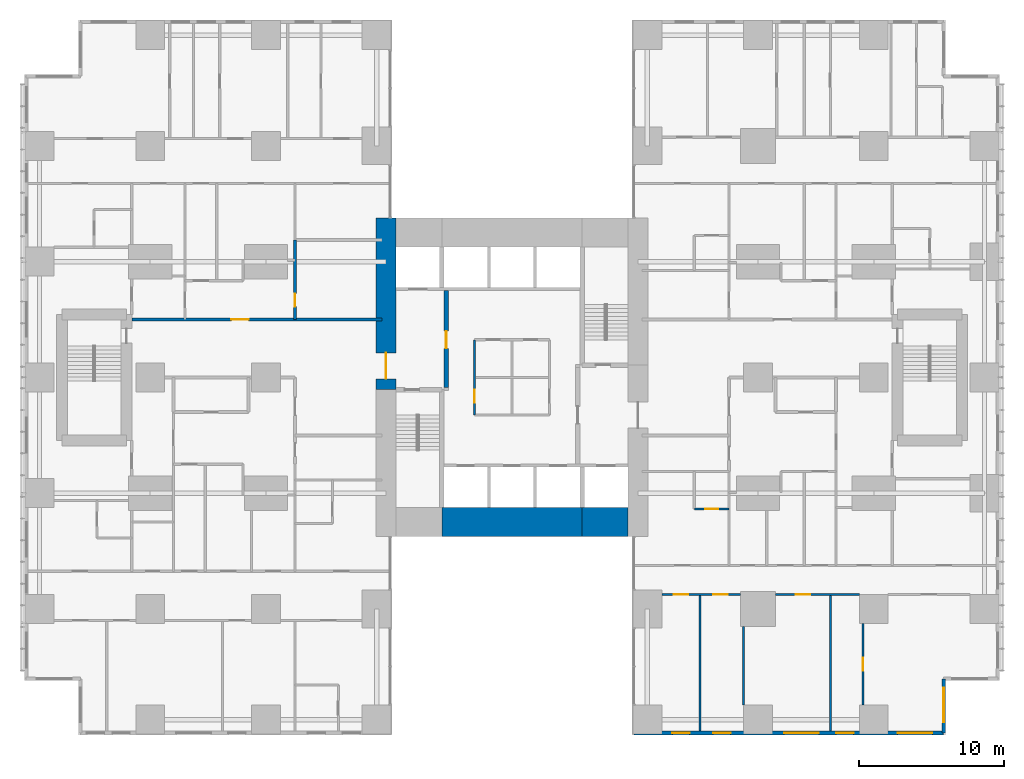
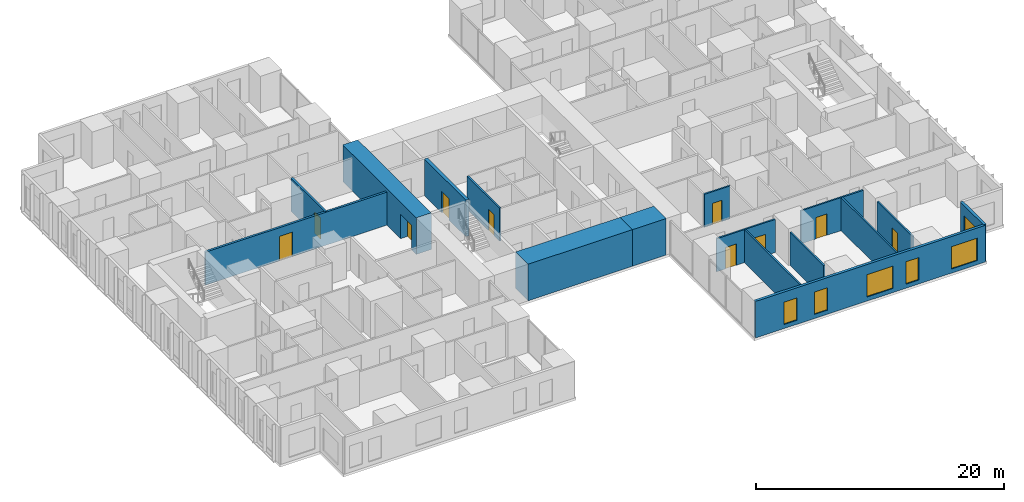
# One storey, part 14 of 20: 16 walls, 10 doors, 6 windows, 16 openings.
"""IFC4 building model written with IfcOpenShell, lengths in metres."""

import ifcopenshell
import ifcopenshell.guid

model = None  # the IFC model being written
_history = None  # IfcOwnerHistory: only IFC2X3 demands one
_inside = {}  # id of a spatial element -> (the spatial element, [elements in it])
_under = {}  # id of a project, library or spatial element -> (it, [spatial elements below it])
_declared = {}  # id of a project -> (the project, [libraries it declares])
_typed = {}  # id of a type object -> (the type object, [elements of that type])
_made_of = {}  # id of a material, layer set ... -> (it, [elements and type objects made of it])


def new_model(schema):
    """Start an empty IFC model of exactly this schema.

    Asked for "IFC4X3", IfcOpenShell would pick the latest addendum, in which some entities
    have other attributes; the version numbers below select the first issue.
    IFC2X3 requires an IfcOwnerHistory on every rooted entity: one is made here for all.
    """
    global model, _history
    if schema == "IFC4X3":
        model = ifcopenshell.file(schema_version=(4, 3, 0, 0))
    else:
        model = ifcopenshell.file(schema=schema)
    _inside.clear()
    _under.clear()
    _declared.clear()
    _typed.clear()
    _made_of.clear()
    _history = None
    if model.schema == "IFC2X3":
        org = make("IfcOrganization", Name="unknown")
        user = make(
            "IfcPersonAndOrganization",
            ThePerson=make("IfcPerson", FamilyName="unknown"),
            TheOrganization=org,
        )
        app = make(
            "IfcApplication",
            ApplicationDeveloper=org,
            Version="unknown",
            ApplicationFullName="unknown",
            ApplicationIdentifier="unknown",
        )
        _history = make(
            "IfcOwnerHistory",
            OwningUser=user,
            OwningApplication=app,
            ChangeAction="ADDED",
            CreationDate=0,
        )
    return model


def make(cls, **values):
    """One entity of the class cls with the attributes given. An attribute that is None is left unset."""
    return model.create_entity(
        cls, **{name: value for name, value in values.items() if value is not None}
    )


def rooted(cls, **values):
    """An entity with a GlobalId (a new one), such as an element, a storey or a relation."""
    return make(cls, GlobalId=ifcopenshell.guid.new(), OwnerHistory=_history, **values)


def si_unit(unit_type, name, prefix=None):
    """IfcSIUnit, for example si_unit("LENGTHUNIT", "METRE", prefix="MILLI")."""
    return make("IfcSIUnit", UnitType=unit_type, Prefix=prefix, Name=name)


def assignment(units):
    """IfcUnitAssignment: the units of a project."""
    return None if units is None else make("IfcUnitAssignment", Units=units)


def point(xyz):
    """IfcCartesianPoint."""
    return None if xyz is None else make("IfcCartesianPoint", Coordinates=xyz)


def direction(xyz):
    """IfcDirection."""
    return None if xyz is None else make("IfcDirection", DirectionRatios=xyz)


def frame(location, z_axis=None, x_axis=None):
    """IfcAxis2Placement3D, a coordinate frame: its origin and axes. An axis left out is left unset."""
    return make(
        "IfcAxis2Placement3D",
        Location=point(location),
        Axis=direction(z_axis),
        RefDirection=direction(x_axis),
    )


def frame_2d(location, x_axis=None):
    """IfcAxis2Placement2D, a coordinate frame in the plane: its origin and x axis."""
    return make(
        "IfcAxis2Placement2D", Location=point(location), RefDirection=direction(x_axis)
    )


def origin():
    """The frame at (0, 0, 0) with its axes left unset."""
    return frame((0.0, 0.0, 0.0))


def place(relative_to, where):
    """IfcLocalPlacement: puts the frame where relative to a parent placement (None: the world)."""
    return make(
        "IfcLocalPlacement", PlacementRelTo=relative_to, RelativePlacement=where
    )


def context(
    kind, dimensions, precision=None, world=None, true_north=None, identifier=None
):
    """IfcGeometricRepresentationContext, for example the 3D "Model" context."""
    return make(
        "IfcGeometricRepresentationContext",
        ContextIdentifier=identifier,
        ContextType=kind,
        CoordinateSpaceDimension=dimensions,
        Precision=precision,
        WorldCoordinateSystem=world,
        TrueNorth=true_north,
    )


def subcontext(parent, identifier, kind, view, scale=None):
    """IfcGeometricRepresentationSubContext, for example "Body" below "Model"."""
    return make(
        "IfcGeometricRepresentationSubContext",
        ContextIdentifier=identifier,
        ContextType=kind,
        ParentContext=parent,
        TargetScale=scale,
        TargetView=view,
    )


def project(units=None, contexts=None):
    """IfcProject with its units and contexts."""
    return rooted(
        "IfcProject",
        Name="project",
        RepresentationContexts=contexts,
        UnitsInContext=assignment(units),
    )


def spatial(cls, under=None, at=None, **own):
    """A site, building, storey or space (cls), placed at a placement, below another one or the project."""
    s = rooted(cls, ObjectPlacement=at, **own)
    if under is not None:
        _under.setdefault(under.id(), (under, []))[1].append(s)
    return s


def profile(cls, at=None, kind="AREA", **sizes):
    """A parametric profile (cls). Its sizes go by their IFC names, for example OverallWidth=200.0."""
    return make(cls, ProfileType=kind, Position=at, **sizes)


def rectangle(**sizes):
    """IfcRectangleProfileDef."""
    return profile("IfcRectangleProfileDef", **sizes)


def extrude(swept, where, along, depth):
    """IfcExtrudedAreaSolid: the profile swept, set in the frame where, extruded along a direction by depth."""
    return make(
        "IfcExtrudedAreaSolid",
        SweptArea=swept,
        Position=where,
        ExtrudedDirection=direction(along),
        Depth=depth,
    )


def shape(context_of_items, identifier, shape_type, items):
    """IfcShapeRepresentation: the items that make up one representation, for example the "Body"."""
    return make(
        "IfcShapeRepresentation",
        ContextOfItems=context_of_items,
        RepresentationIdentifier=identifier,
        RepresentationType=shape_type,
        Items=items,
    )


def material(Name=None, Category=None):
    """IfcMaterial."""
    return make("IfcMaterial", Name=Name, Category=Category)


def layer(
    of_material, thickness, ventilated=None, Name=None, Category=None, Priority=None
):
    """IfcMaterialLayer: one layer of a wall or slab, of a material (None: an air gap)."""
    return make(
        "IfcMaterialLayer",
        Material=of_material,
        LayerThickness=thickness,
        IsVentilated=ventilated,
        Name=Name,
        Category=Category,
        Priority=Priority,
    )


def layer_set(layers, Name=None):
    """IfcMaterialLayerSet."""
    return make("IfcMaterialLayerSet", MaterialLayers=layers, LayerSetName=Name)


def made_of(thing, what):
    """Note that an element or type object is made of a material, layer set ...; save() writes the relation."""
    if what is not None:
        _made_of.setdefault(what.id(), (what, []))[1].append(thing)
    return thing


def type_object(cls, material=None, **own):
    """A type object (cls), such as IfcWallType, which elements share."""
    return made_of(rooted(cls, **own), material)


def element(
    cls,
    number,
    at=None,
    inside=None,
    cuts=None,
    type_object=None,
    material=None,
    context=None,
    identifier="Body",
    shape_type=None,
    held_by="IfcProductDefinitionShape",
    body=None,
    shapes=None,
    **own,
):
    """One element of the class cls, such as IfcWall. Its Tag is "e" and its number.

    at: its placement. inside: the storey or other place that contains it. cuts: it is an
    opening in that element (IfcRelVoidsElement). A single representation is given by context,
    identifier, shape_type and body (its items); several are given by shapes. held_by: the class
    of the entity that holds the representations. save() writes the other relations.
    """
    e = rooted(cls, Tag="e%d" % number, ObjectPlacement=at, **own)
    if body is not None:
        shapes = [shape(context, identifier, shape_type, body)]
    if shapes is not None:
        e.Representation = make(held_by, Representations=shapes)
    if inside is not None:
        _inside.setdefault(inside.id(), (inside, []))[1].append(e)
    if cuts is not None:
        rooted(
            "IfcRelVoidsElement", RelatingBuildingElement=cuts, RelatedOpeningElement=e
        )
    if type_object is not None:
        _typed.setdefault(type_object.id(), (type_object, []))[1].append(e)
    return made_of(e, material)


def fill(opening, filler):
    """IfcRelFillsElement: the door or window that sits in an opening."""
    return rooted(
        "IfcRelFillsElement",
        RelatingOpeningElement=opening,
        RelatedBuildingElement=filler,
    )


def aggregate(whole, parts):
    """IfcRelAggregates: a whole, such as a stair, and the parts it consists of."""
    return rooted("IfcRelAggregates", RelatingObject=whole, RelatedObjects=parts)


def save(model, path):
    """Write the relations noted so far, then the file.

    IfcRelAggregates (storeys below a building ...), IfcRelContainedInSpatialStructure (elements
    in a storey), IfcRelDefinesByType, IfcRelAssociatesMaterial and IfcRelDeclares: one each for
    every whole, place, type object, material and project.
    """
    for whole, parts in _under.values():
        aggregate(whole, parts)
    for where, things in _inside.values():
        rooted(
            "IfcRelContainedInSpatialStructure",
            RelatedElements=things,
            RelatingStructure=where,
        )
    for kind, things in _typed.values():
        rooted("IfcRelDefinesByType", RelatedObjects=things, RelatingType=kind)
    for what, things in _made_of.values():
        rooted("IfcRelAssociatesMaterial", RelatedObjects=things, RelatingMaterial=what)
    for by, libraries in _declared.values():
        rooted("IfcRelDeclares", RelatingContext=by, RelatedDefinitions=libraries)
    model.write(path)


model = new_model("IFC4")

# Units and contexts
model_context = context("Model", 3, precision=1e-05, world=origin(), true_north=direction((0.0, 1.0)))
body_context = subcontext(model_context, "Body", "Model", "MODEL_VIEW")
ifc_project = project(units=[si_unit("LENGTHUNIT", "METRE"), si_unit("AREAUNIT", "SQUARE_METRE"), si_unit("VOLUMEUNIT", "CUBIC_METRE"), si_unit("PLANEANGLEUNIT", "RADIAN"), si_unit("MASSUNIT", "GRAM", prefix="KILO")], contexts=[model_context])

# Site, building, storey
site_placement = place(None, origin())
site = spatial("IfcSite", under=ifc_project, at=site_placement, CompositionType="ELEMENT")
building_placement = place(site_placement, origin())
building = spatial("IfcBuilding", under=site, at=building_placement, Name="Cleftline Residences", CompositionType="ELEMENT")
storey_placement = place(building_placement, frame((0.0, 0.0, 168.199951171875)))
storey = spatial("IfcBuildingStorey", under=building, at=storey_placement, Name="L44", CompositionType="ELEMENT", Elevation=168.199951171875)

# Wall, opening, door
ifc_material_1 = material(Name="Concrete B70", Category="concrete")
ifc_layer_1 = layer(ifc_material_1, 1.39990234375)
ifc_layer_set_1 = layer_set([ifc_layer_1], Name="CORE WALL 1400")
wall_type_1 = type_object("IfcWallType", Name="CORE WALL 1400", PredefinedType="SHEAR", material=ifc_layer_set_1)
wall_1_placement = place(storey_placement, frame((24.300048828125, 23.14990234375, 0.0), z_axis=(0.0, 0.0, 1.0), x_axis=(0.0, 1.0, 0.0)))
wall_1 = element("IfcWall", 1, at=wall_1_placement, inside=storey, type_object=wall_type_1, Name="Core wall W", PredefinedType="SHEAR", context=body_context, shape_type="SweptSolid", body=[
    extrude(rectangle(XDim=11.85009765625, YDim=1.39990234375, at=frame_2d((5.925048828125, 0.0))), origin(), (0.0, 0.0, 1.0), 3.60009765625),
])
opening_1_placement = place(wall_1_placement, frame((0.75, 0.0, 0.0)))
opening_1 = element("IfcOpeningElement", 2, at=opening_1_placement, cuts=wall_1, Name="Opening D7", PredefinedType="OPENING", context=body_context, shape_type="SweptSolid", body=[
    extrude(rectangle(XDim=1.800048828125, YDim=2.39990234375, at=frame_2d((0.89990234375, 1.199951171875))), frame((0.0, 0.7099609375, 0.0), z_axis=(0.0, -1.0, 0.0), x_axis=(1.0, 0.0, 0.0)), (0.0, 0.0, 1.0), 1.419921875),
])
ifc_material_2 = material(Name="Steel", Category="steel")
door_type_1 = type_object("IfcDoorType", Name="WING DOOR 1800X2400", OperationType="DOUBLE_DOOR_DOUBLE_SWING", PredefinedType="DOOR", material=ifc_material_2)
door_1_placement = place(opening_1_placement, origin())
door_1 = element("IfcDoor", 3, at=door_1_placement, inside=storey, type_object=door_type_1, Name="West wing door", OperationType="DOUBLE_DOOR_DOUBLE_SWING", OverallHeight=2.39990234375, OverallWidth=1.800048828125, PredefinedType="DOOR", context=body_context, shape_type="SweptSolid", body=[
    extrude(rectangle(XDim=1.800048828125, YDim=2.39990234375, at=frame_2d((0.89990234375, 1.199951171875))), frame((0.0, 0.02490234375, 0.0), z_axis=(0.0, -1.0, 0.0), x_axis=(1.0, 0.0, 0.0)), (0.0, 0.0, 1.0), 0.050048828125),
])
fill(opening_1, door_1)

# Walls
ifc_material_3 = material(Name="Concrete B70", Category="concrete")
ifc_layer_2 = layer(ifc_material_3, 2.0)
ifc_layer_set_2 = layer_set([ifc_layer_2], Name="CORE WALL 2000")
wall_type_2 = type_object("IfcWallType", Name="CORE WALL 2000", PredefinedType="SHEAR", material=ifc_layer_set_2)
wall_2_placement = place(storey_placement, frame((28.14990234375, 14.0, 0.0), z_axis=(0.0, 0.0, 1.0), x_axis=(1.0, 0.0, 0.0)))
element("IfcWall", 4, at=wall_2_placement, inside=storey, type_object=wall_type_2, Name="Core wall S2", PredefinedType="SHEAR", context=body_context, shape_type="SweptSolid", body=[
    extrude(rectangle(XDim=9.7001953125, YDim=2.0, at=frame_2d((4.85009765625, 0.0))), origin(), (0.0, 0.0, 1.0), 3.60009765625),
])
wall_3_placement = place(storey_placement, frame((37.85009765625, 14.0, 0.0), z_axis=(0.0, 0.0, 1.0), x_axis=(1.0, 0.0, 0.0)))
element("IfcWall", 5, at=wall_3_placement, inside=storey, type_object=wall_type_2, Name="Core wall S3", PredefinedType="SHEAR", context=body_context, shape_type="SweptSolid", body=[
    extrude(rectangle(XDim=3.14990234375, YDim=2.0, at=frame_2d((1.574951171875, 0.0))), origin(), (0.0, 0.0, 1.0), 3.60009765625),
])

# Wall, openings, windows
ifc_material_4 = material(Name="Rendered reinforced concrete blockwork", Category="masonry")
ifc_layer_3 = layer(ifc_material_4, 0.25)
ifc_layer_set_3 = layer_set([ifc_layer_3], Name="EXTERNAL WALL 250")
wall_type_3 = type_object("IfcWallType", Name="EXTERNAL WALL 250", PredefinedType="SOLIDWALL", material=ifc_layer_set_3)
wall_4_placement = place(storey_placement, frame((41.425048828125, -0.574951171875, 0.0), z_axis=(0.0, 0.0, 1.0), x_axis=(1.0, 0.0, 0.0)))
wall_4 = element("IfcWall", 6, at=wall_4_placement, inside=storey, type_object=wall_type_3, Name="External wall", PredefinedType="SOLIDWALL", context=body_context, shape_type="SweptSolid", body=[
    extrude(rectangle(XDim=21.39990234375, YDim=0.25, at=frame_2d((10.699951171875, 0.0))), origin(), (0.0, 0.0, 1.0), 3.60009765625),
])
opening_2_placement = place(wall_4_placement, frame((2.64990234375, 0.0, 0.39990234375)))
opening_2 = element("IfcOpeningElement", 7, at=opening_2_placement, cuts=wall_4, Name="Opening W11", PredefinedType="OPENING", context=body_context, shape_type="SweptSolid", body=[
    extrude(rectangle(XDim=1.199951171875, YDim=2.199951171875, at=frame_2d((0.60009765625, 1.10009765625))), frame((0.0, 0.135009765625, 0.0), z_axis=(0.0, -1.0, 0.0), x_axis=(1.0, 0.0, 0.0)), (0.0, 0.0, 1.0), 0.27001953125),
])
opening_3_placement = place(wall_4_placement, frame((5.47509765625, 0.0, 0.39990234375)))
opening_3 = element("IfcOpeningElement", 8, at=opening_3_placement, cuts=wall_4, Name="Opening W11", PredefinedType="OPENING", context=body_context, shape_type="SweptSolid", body=[
    extrude(rectangle(XDim=1.199951171875, YDim=2.199951171875, at=frame_2d((0.60009765625, 1.10009765625))), frame((0.0, 0.135009765625, 0.0), z_axis=(0.0, -1.0, 0.0), x_axis=(1.0, 0.0, 0.0)), (0.0, 0.0, 1.0), 0.27001953125),
])
opening_4_placement = place(wall_4_placement, frame((10.375, 0.0, 0.39990234375)))
opening_4 = element("IfcOpeningElement", 9, at=opening_4_placement, cuts=wall_4, Name="Opening W12", PredefinedType="OPENING", context=body_context, shape_type="SweptSolid", body=[
    extrude(rectangle(XDim=2.39990234375, YDim=2.199951171875, at=frame_2d((1.199951171875, 1.10009765625))), frame((0.0, 0.135009765625, 0.0), z_axis=(0.0, -1.0, 0.0), x_axis=(1.0, 0.0, 0.0)), (0.0, 0.0, 1.0), 0.27001953125),
])
opening_5_placement = place(wall_4_placement, frame((13.97509765625, 0.0, 0.39990234375)))
opening_5 = element("IfcOpeningElement", 10, at=opening_5_placement, cuts=wall_4, Name="Opening W11", PredefinedType="OPENING", context=body_context, shape_type="SweptSolid", body=[
    extrude(rectangle(XDim=1.199951171875, YDim=2.199951171875, at=frame_2d((0.60009765625, 1.10009765625))), frame((0.0, 0.135009765625, 0.0), z_axis=(0.0, -1.0, 0.0), x_axis=(1.0, 0.0, 0.0)), (0.0, 0.0, 1.0), 0.27001953125),
])
opening_6_placement = place(wall_4_placement, frame((18.22509765625, 0.0, 0.39990234375)))
opening_6 = element("IfcOpeningElement", 11, at=opening_6_placement, cuts=wall_4, Name="Opening W12", PredefinedType="OPENING", context=body_context, shape_type="SweptSolid", body=[
    extrude(rectangle(XDim=2.39990234375, YDim=2.199951171875, at=frame_2d((1.199951171875, 1.10009765625))), frame((0.0, 0.135009765625, 0.0), z_axis=(0.0, -1.0, 0.0), x_axis=(1.0, 0.0, 0.0)), (0.0, 0.0, 1.0), 0.27001953125),
])
ifc_material_5 = material(Name="Aluminium frame, clear double glazing", Category="aluminium")
window_type_1 = type_object("IfcWindowType", Name="WINDOW 1200X2200", PartitioningType="DOUBLE_PANEL_VERTICAL", PredefinedType="WINDOW", material=ifc_material_5)
window_1_placement = place(opening_2_placement, origin())
window_1 = element("IfcWindow", 12, at=window_1_placement, inside=storey, type_object=window_type_1, Name="Window", OverallHeight=2.199951171875, OverallWidth=1.199951171875, PartitioningType="SINGLE_PANEL", PredefinedType="WINDOW", context=body_context, shape_type="SweptSolid", body=[
    extrude(rectangle(XDim=1.199951171875, YDim=2.199951171875, at=frame_2d((0.60009765625, 1.10009765625))), frame((0.0, 0.030029296875, 0.0), z_axis=(0.0, -1.0, 0.0), x_axis=(1.0, 0.0, 0.0)), (0.0, 0.0, 1.0), 0.06005859375),
])
fill(opening_2, window_1)
window_2_placement = place(opening_3_placement, origin())
window_2 = element("IfcWindow", 13, at=window_2_placement, inside=storey, type_object=window_type_1, Name="Window", OverallHeight=2.199951171875, OverallWidth=1.199951171875, PartitioningType="SINGLE_PANEL", PredefinedType="WINDOW", context=body_context, shape_type="SweptSolid", body=[
    extrude(rectangle(XDim=1.199951171875, YDim=2.199951171875, at=frame_2d((0.60009765625, 1.10009765625))), frame((0.0, 0.030029296875, 0.0), z_axis=(0.0, -1.0, 0.0), x_axis=(1.0, 0.0, 0.0)), (0.0, 0.0, 1.0), 0.06005859375),
])
fill(opening_3, window_2)
window_3_placement = place(opening_5_placement, origin())
window_3 = element("IfcWindow", 14, at=window_3_placement, inside=storey, type_object=window_type_1, Name="Window", OverallHeight=2.199951171875, OverallWidth=1.199951171875, PartitioningType="SINGLE_PANEL", PredefinedType="WINDOW", context=body_context, shape_type="SweptSolid", body=[
    extrude(rectangle(XDim=1.199951171875, YDim=2.199951171875, at=frame_2d((0.60009765625, 1.10009765625))), frame((0.0, 0.030029296875, 0.0), z_axis=(0.0, -1.0, 0.0), x_axis=(1.0, 0.0, 0.0)), (0.0, 0.0, 1.0), 0.06005859375),
])
fill(opening_5, window_3)
ifc_material_6 = material(Name="Aluminium frame, clear double glazing", Category="aluminium")
window_type_2 = type_object("IfcWindowType", Name="WINDOW 2400X2200", PartitioningType="DOUBLE_PANEL_VERTICAL", PredefinedType="WINDOW", material=ifc_material_6)
window_4_placement = place(opening_4_placement, origin())
window_4 = element("IfcWindow", 15, at=window_4_placement, inside=storey, type_object=window_type_2, Name="Window", OverallHeight=2.199951171875, OverallWidth=2.39990234375, PartitioningType="SINGLE_PANEL", PredefinedType="WINDOW", context=body_context, shape_type="SweptSolid", body=[
    extrude(rectangle(XDim=2.39990234375, YDim=2.199951171875, at=frame_2d((1.199951171875, 1.10009765625))), frame((0.0, 0.030029296875, 0.0), z_axis=(0.0, -1.0, 0.0), x_axis=(1.0, 0.0, 0.0)), (0.0, 0.0, 1.0), 0.06005859375),
])
fill(opening_4, window_4)
window_5_placement = place(opening_6_placement, origin())
window_5 = element("IfcWindow", 16, at=window_5_placement, inside=storey, type_object=window_type_2, Name="Window", OverallHeight=2.199951171875, OverallWidth=2.39990234375, PartitioningType="SINGLE_PANEL", PredefinedType="WINDOW", context=body_context, shape_type="SweptSolid", body=[
    extrude(rectangle(XDim=2.39990234375, YDim=2.199951171875, at=frame_2d((1.199951171875, 1.10009765625))), frame((0.0, 0.030029296875, 0.0), z_axis=(0.0, -1.0, 0.0), x_axis=(1.0, 0.0, 0.0)), (0.0, 0.0, 1.0), 0.06005859375),
])
fill(opening_6, window_5)

# Wall, opening, window
wall_5_placement = place(storey_placement, frame((62.824951171875, -0.574951171875, 0.0), z_axis=(0.0, 0.0, 1.0), x_axis=(0.0, 1.0, 0.0)))
wall_5 = element("IfcWall", 17, at=wall_5_placement, inside=storey, type_object=wall_type_3, Name="External wall", PredefinedType="SOLIDWALL", context=body_context, shape_type="SweptSolid", body=[
    extrude(rectangle(XDim=3.75, YDim=0.25, at=frame_2d((1.875, 0.0))), origin(), (0.0, 0.0, 1.0), 3.60009765625),
])
opening_7_placement = place(wall_5_placement, frame((0.737548828125, 0.0, 0.39990234375)))
opening_7 = element("IfcOpeningElement", 18, at=opening_7_placement, cuts=wall_5, Name="Opening W12", PredefinedType="OPENING", context=body_context, shape_type="SweptSolid", body=[
    extrude(rectangle(XDim=2.39990234375, YDim=2.199951171875, at=frame_2d((1.199951171875, 1.10009765625))), frame((0.0, 0.135009765625, 0.0), z_axis=(0.0, -1.0, 0.0), x_axis=(1.0, 0.0, 0.0)), (0.0, 0.0, 1.0), 0.27001953125),
])
window_6_placement = place(opening_7_placement, origin())
window_6 = element("IfcWindow", 19, at=window_6_placement, inside=storey, type_object=window_type_2, Name="Window", OverallHeight=2.199951171875, OverallWidth=2.39990234375, PartitioningType="SINGLE_PANEL", PredefinedType="WINDOW", context=body_context, shape_type="SweptSolid", body=[
    extrude(rectangle(XDim=2.39990234375, YDim=2.199951171875, at=frame_2d((1.199951171875, 1.10009765625))), frame((0.0, 0.030029296875, 0.0), z_axis=(0.0, -1.0, 0.0), x_axis=(1.0, 0.0, 0.0)), (0.0, 0.0, 1.0), 0.06005859375),
])
fill(opening_7, window_6)

# Wall, opening, door
ifc_material_7 = material(Name="Concrete blockwork, fire rated", Category="masonry")
ifc_layer_4 = layer(ifc_material_7, 0.199951171875)
ifc_layer_set_4 = layer_set([ifc_layer_4], Name="FIRE WALL 200")
wall_type_4 = type_object("IfcWallType", Name="FIRE WALL 200", PredefinedType="PARTITIONING", material=ifc_layer_set_4)
wall_6_placement = place(storey_placement, frame((6.72509765625, 28.0, 0.0), z_axis=(0.0, 0.0, 1.0), x_axis=(1.0, 0.0, 0.0)))
wall_6 = element("IfcWall", 20, at=wall_6_placement, inside=storey, type_object=wall_type_4, Name="Fire separating wall", PredefinedType="PARTITIONING", context=body_context, shape_type="SweptSolid", body=[
    extrude(rectangle(XDim=17.27490234375, YDim=0.199951171875, at=frame_2d((8.637451171875, 0.0))), origin(), (0.0, 0.0, 1.0), 3.25),
])
opening_8_placement = place(wall_6_placement, frame((6.875, 0.0, 0.0)))
opening_8 = element("IfcOpeningElement", 21, at=opening_8_placement, cuts=wall_6, Name="Opening D4", PredefinedType="OPENING", context=body_context, shape_type="SweptSolid", body=[
    extrude(rectangle(XDim=1.199951171875, YDim=2.39990234375, at=frame_2d((0.60009765625, 1.199951171875))), frame((0.0, 0.10986328125, 0.0), z_axis=(0.0, -1.0, 0.0), x_axis=(1.0, 0.0, 0.0)), (0.0, 0.0, 1.0), 0.219970703125),
])
ifc_material_8 = material(Name="Timber veneer on solid core", Category="wood")
door_type_2 = type_object("IfcDoorType", Name="APARTMENT ENTRANCE DOOR 1200X2400", OperationType="SINGLE_SWING_RIGHT", PredefinedType="DOOR", material=ifc_material_8)
door_2_placement = place(opening_8_placement, origin())
door_2 = element("IfcDoor", 22, at=door_2_placement, inside=storey, type_object=door_type_2, Name="Door to residence entrance foyer", OperationType="SINGLE_SWING_RIGHT", OverallHeight=2.39990234375, OverallWidth=1.199951171875, PredefinedType="DOOR", context=body_context, shape_type="SweptSolid", body=[
    extrude(rectangle(XDim=1.199951171875, YDim=2.39990234375, at=frame_2d((0.60009765625, 1.199951171875))), frame((0.0, 0.02490234375, 0.0), z_axis=(0.0, -1.0, 0.0), x_axis=(1.0, 0.0, 0.0)), (0.0, 0.0, 1.0), 0.050048828125),
])
fill(opening_8, door_2)

wall_7_placement = place(storey_placement, frame((18.0, 28.0, 0.0), z_axis=(0.0, 0.0, 1.0), x_axis=(0.0, 1.0, 0.0)))
wall_7 = element("IfcWall", 23, at=wall_7_placement, inside=storey, type_object=wall_type_4, Name="Fire separating wall", PredefinedType="PARTITIONING", context=body_context, shape_type="SweptSolid", body=[
    extrude(rectangle(XDim=5.5, YDim=0.199951171875, at=frame_2d((2.75, 0.0))), origin(), (0.0, 0.0, 1.0), 3.25),
])
opening_9_placement = place(wall_7_placement, frame((0.887451171875, 0.0, 0.0)))
opening_9 = element("IfcOpeningElement", 24, at=opening_9_placement, cuts=wall_7, Name="Opening D1F30", PredefinedType="OPENING", context=body_context, shape_type="SweptSolid", body=[
    extrude(rectangle(XDim=0.89990234375, YDim=2.10009765625, at=frame_2d((0.449951171875, 1.050048828125))), frame((0.0, 0.10986328125, 0.0), z_axis=(0.0, -1.0, 0.0), x_axis=(1.0, 0.0, 0.0)), (0.0, 0.0, 1.0), 0.219970703125),
])
ifc_material_9 = material(Name="Timber veneer on solid core", Category="wood")
door_type_3 = type_object("IfcDoorType", Name="DOOR 900X2100 EI 30", OperationType="SINGLE_SWING_LEFT", PredefinedType="DOOR", material=ifc_material_9)
door_3_placement = place(opening_9_placement, origin())
door_3 = element("IfcDoor", 25, at=door_3_placement, inside=storey, type_object=door_type_3, Name="Door to utility room and wc", OperationType="SINGLE_SWING_RIGHT", OverallHeight=2.10009765625, OverallWidth=0.89990234375, PredefinedType="DOOR", context=body_context, shape_type="SweptSolid", body=[
    extrude(rectangle(XDim=0.89990234375, YDim=2.10009765625, at=frame_2d((0.449951171875, 1.050048828125))), frame((0.0, 0.02490234375, 0.0), z_axis=(0.0, -1.0, 0.0), x_axis=(1.0, 0.0, 0.0)), (0.0, 0.0, 1.0), 0.050048828125),
])
fill(opening_9, door_3)

# Wall, openings, doors
ifc_material_10 = material(Name="Gypsum board on steel studs", Category="steel")
ifc_layer_5 = layer(ifc_material_10, 0.14990234375)
ifc_layer_set_5 = layer_set([ifc_layer_5], Name="PARTITION 150")
wall_type_5 = type_object("IfcWallType", Name="PARTITION 150", PredefinedType="PARTITIONING", material=ifc_layer_set_5)
wall_8_placement = place(storey_placement, frame((43.35009765625, 9.0, 0.0), z_axis=(0.0, 0.0, 1.0), x_axis=(1.0, 0.0, 0.0)))
wall_8 = element("IfcWall", 26, at=wall_8_placement, inside=storey, type_object=wall_type_5, Name="Partition", PredefinedType="PARTITIONING", context=body_context, shape_type="SweptSolid", body=[
    extrude(rectangle(XDim=5.449951171875, YDim=0.14990234375, at=frame_2d((2.72509765625, 0.0))), origin(), (0.0, 0.0, 1.0), 3.25),
])
opening_10_placement = place(wall_8_placement, frame((3.550048828125, 0.0, 0.0)))
opening_10 = element("IfcOpeningElement", 27, at=opening_10_placement, cuts=wall_8, Name="Opening D2", PredefinedType="OPENING", context=body_context, shape_type="SweptSolid", body=[
    extrude(rectangle(XDim=1.0, YDim=2.10009765625, at=frame_2d((0.5, 1.050048828125))), frame((0.0, 0.0849609375, 0.0), z_axis=(0.0, -1.0, 0.0), x_axis=(1.0, 0.0, 0.0)), (0.0, 0.0, 1.0), 0.169921875),
])
opening_11_placement = place(wall_8_placement, frame((0.824951171875, 0.0, 0.0)))
opening_11 = element("IfcOpeningElement", 28, at=opening_11_placement, cuts=wall_8, Name="Opening D2", PredefinedType="OPENING", context=body_context, shape_type="SweptSolid", body=[
    extrude(rectangle(XDim=1.0, YDim=2.10009765625, at=frame_2d((0.5, 1.050048828125))), frame((0.0, 0.0849609375, 0.0), z_axis=(0.0, -1.0, 0.0), x_axis=(1.0, 0.0, 0.0)), (0.0, 0.0, 1.0), 0.169921875),
])
ifc_material_11 = material(Name="Timber veneer on solid core", Category="wood")
door_type_4 = type_object("IfcDoorType", Name="DOOR 1000X2100", OperationType="SINGLE_SWING_LEFT", PredefinedType="DOOR", material=ifc_material_11)
door_4_placement = place(opening_10_placement, origin())
door_4 = element("IfcDoor", 29, at=door_4_placement, inside=storey, type_object=door_type_4, Name="Door to breakfast room", OperationType="SINGLE_SWING_LEFT", OverallHeight=2.10009765625, OverallWidth=1.0, PredefinedType="DOOR", context=body_context, shape_type="SweptSolid", body=[
    extrude(rectangle(XDim=1.0, YDim=2.10009765625, at=frame_2d((0.5, 1.050048828125))), frame((0.0, 0.02490234375, 0.0), z_axis=(0.0, -1.0, 0.0), x_axis=(1.0, 0.0, 0.0)), (0.0, 0.0, 1.0), 0.050048828125),
])
fill(opening_10, door_4)
door_5_placement = place(opening_11_placement, origin())
door_5 = element("IfcDoor", 30, at=door_5_placement, inside=storey, type_object=door_type_4, Name="Door to show kitchen", OperationType="SINGLE_SWING_RIGHT", OverallHeight=2.10009765625, OverallWidth=1.0, PredefinedType="DOOR", context=body_context, shape_type="SweptSolid", body=[
    extrude(rectangle(XDim=1.0, YDim=2.10009765625, at=frame_2d((0.5, 1.050048828125))), frame((0.0, 0.02490234375, 0.0), z_axis=(0.0, -1.0, 0.0), x_axis=(1.0, 0.0, 0.0)), (0.0, 0.0, 1.0), 0.050048828125),
])
fill(opening_11, door_5)

# Wall, opening, door
wall_9_placement = place(storey_placement, frame((51.199951171875, 9.0, 0.0), z_axis=(0.0, 0.0, 1.0), x_axis=(1.0, 0.0, 0.0)))
wall_9 = element("IfcWall", 31, at=wall_9_placement, inside=storey, type_object=wall_type_5, Name="Partition", PredefinedType="PARTITIONING", context=body_context, shape_type="SweptSolid", body=[
    extrude(rectangle(XDim=5.800048828125, YDim=0.14990234375, at=frame_2d((2.89990234375, 0.0))), origin(), (0.0, 0.0, 1.0), 3.25),
])
opening_12_placement = place(wall_9_placement, frame((1.39990234375, 0.0, 0.0)))
opening_12 = element("IfcOpeningElement", 32, at=opening_12_placement, cuts=wall_9, Name="Opening D2", PredefinedType="OPENING", context=body_context, shape_type="SweptSolid", body=[
    extrude(rectangle(XDim=1.0, YDim=2.10009765625, at=frame_2d((0.5, 1.050048828125))), frame((0.0, 0.0849609375, 0.0), z_axis=(0.0, -1.0, 0.0), x_axis=(1.0, 0.0, 0.0)), (0.0, 0.0, 1.0), 0.169921875),
])
door_6_placement = place(opening_12_placement, origin())
door_6 = element("IfcDoor", 33, at=door_6_placement, inside=storey, type_object=door_type_4, Name="Door to dining room", OperationType="SINGLE_SWING_RIGHT", OverallHeight=2.10009765625, OverallWidth=1.0, PredefinedType="DOOR", context=body_context, shape_type="SweptSolid", body=[
    extrude(rectangle(XDim=1.0, YDim=2.10009765625, at=frame_2d((0.5, 1.050048828125))), frame((0.0, 0.02490234375, 0.0), z_axis=(0.0, -1.0, 0.0), x_axis=(1.0, 0.0, 0.0)), (0.0, 0.0, 1.0), 0.050048828125),
])
fill(opening_12, door_6)

wall_10_placement = place(storey_placement, frame((45.60009765625, 14.89990234375, 0.0), z_axis=(0.0, 0.0, 1.0), x_axis=(1.0, 0.0, 0.0)))
wall_10 = element("IfcWall", 34, at=wall_10_placement, inside=storey, type_object=wall_type_5, Name="Partition", PredefinedType="PARTITIONING", context=body_context, shape_type="SweptSolid", body=[
    extrude(rectangle(XDim=2.39990234375, YDim=0.14990234375, at=frame_2d((1.199951171875, 0.0))), origin(), (0.0, 0.0, 1.0), 3.25),
])
opening_13_placement = place(wall_10_placement, frame((0.75, 0.0, 0.0)))
opening_13 = element("IfcOpeningElement", 35, at=opening_13_placement, cuts=wall_10, Name="Opening D1", PredefinedType="OPENING", context=body_context, shape_type="SweptSolid", body=[
    extrude(rectangle(XDim=0.89990234375, YDim=2.10009765625, at=frame_2d((0.449951171875, 1.050048828125))), frame((0.0, 0.0849609375, 0.0), z_axis=(0.0, -1.0, 0.0), x_axis=(1.0, 0.0, 0.0)), (0.0, 0.0, 1.0), 0.169921875),
])
ifc_material_12 = material(Name="Timber veneer on solid core", Category="wood")
door_type_5 = type_object("IfcDoorType", Name="DOOR 900X2100", OperationType="SINGLE_SWING_LEFT", PredefinedType="DOOR", material=ifc_material_12)
door_7_placement = place(opening_13_placement, origin())
door_7 = element("IfcDoor", 36, at=door_7_placement, inside=storey, type_object=door_type_5, Name="Door to staff shower room", OperationType="SINGLE_SWING_LEFT", OverallHeight=2.10009765625, OverallWidth=0.89990234375, PredefinedType="DOOR", context=body_context, shape_type="SweptSolid", body=[
    extrude(rectangle(XDim=0.89990234375, YDim=2.10009765625, at=frame_2d((0.449951171875, 1.050048828125))), frame((0.0, 0.02490234375, 0.0), z_axis=(0.0, -1.0, 0.0), x_axis=(1.0, 0.0, 0.0)), (0.0, 0.0, 1.0), 0.050048828125),
])
fill(opening_13, door_7)

# Walls
wall_11_placement = place(storey_placement, frame((46.0, -0.449951171875, 0.0), z_axis=(0.0, 0.0, 1.0), x_axis=(0.0, 1.0, 0.0)))
element("IfcWall", 37, at=wall_11_placement, inside=storey, type_object=wall_type_5, Name="Partition", PredefinedType="PARTITIONING", context=body_context, shape_type="SweptSolid", body=[
    extrude(rectangle(XDim=9.449951171875, YDim=0.14990234375, at=frame_2d((4.72509765625, 0.0))), origin(), (0.0, 0.0, 1.0), 3.25),
])
wall_12_placement = place(storey_placement, frame((49.0, 1.35009765625, 0.0), z_axis=(0.0, 0.0, 1.0), x_axis=(0.0, 1.0, 0.0)))
element("IfcWall", 38, at=wall_12_placement, inside=storey, type_object=wall_type_5, Name="Partition", PredefinedType="PARTITIONING", context=body_context, shape_type="SweptSolid", body=[
    extrude(rectangle(XDim=5.449951171875, YDim=0.14990234375, at=frame_2d((2.72509765625, 0.0))), origin(), (0.0, 0.0, 1.0), 3.25),
])
wall_13_placement = place(storey_placement, frame((55.0, -0.449951171875, 0.0), z_axis=(0.0, 0.0, 1.0), x_axis=(0.0, 1.0, 0.0)))
element("IfcWall", 39, at=wall_13_placement, inside=storey, type_object=wall_type_5, Name="Partition", PredefinedType="PARTITIONING", context=body_context, shape_type="SweptSolid", body=[
    extrude(rectangle(XDim=9.449951171875, YDim=0.14990234375, at=frame_2d((4.72509765625, 0.0))), origin(), (0.0, 0.0, 1.0), 3.25),
])

# Wall, opening, door
wall_14_placement = place(storey_placement, frame((57.25, 1.35009765625, 0.0), z_axis=(0.0, 0.0, 1.0), x_axis=(0.0, 1.0, 0.0)))
wall_14 = element("IfcWall", 40, at=wall_14_placement, inside=storey, type_object=wall_type_5, Name="Partition", PredefinedType="PARTITIONING", context=body_context, shape_type="SweptSolid", body=[
    extrude(rectangle(XDim=5.64990234375, YDim=0.14990234375, at=frame_2d((2.824951171875, 0.0))), origin(), (0.0, 0.0, 1.0), 3.25),
])
opening_14_placement = place(wall_14_placement, frame((2.375, 0.0, 0.0)))
opening_14 = element("IfcOpeningElement", 41, at=opening_14_placement, cuts=wall_14, Name="Opening D1", PredefinedType="OPENING", context=body_context, shape_type="SweptSolid", body=[
    extrude(rectangle(XDim=0.89990234375, YDim=2.10009765625, at=frame_2d((0.449951171875, 1.050048828125))), frame((0.0, 0.0849609375, 0.0), z_axis=(0.0, -1.0, 0.0), x_axis=(1.0, 0.0, 0.0)), (0.0, 0.0, 1.0), 0.169921875),
])
door_8_placement = place(opening_14_placement, origin())
door_8 = element("IfcDoor", 42, at=door_8_placement, inside=storey, type_object=door_type_5, Name="Door to store room", OperationType="SINGLE_SWING_LEFT", OverallHeight=2.10009765625, OverallWidth=0.89990234375, PredefinedType="DOOR", context=body_context, shape_type="SweptSolid", body=[
    extrude(rectangle(XDim=0.89990234375, YDim=2.10009765625, at=frame_2d((0.449951171875, 1.050048828125))), frame((0.0, 0.02490234375, 0.0), z_axis=(0.0, -1.0, 0.0), x_axis=(1.0, 0.0, 0.0)), (0.0, 0.0, 1.0), 0.050048828125),
])
fill(opening_14, door_8)

ifc_material_13 = material(Name="Fire-resisting gypsum board on steel studs", Category="steel")
ifc_layer_6 = layer(ifc_material_13, 0.14990234375)
ifc_layer_set_6 = layer_set([ifc_layer_6], Name="PARTITION 150 EI 60")
wall_type_6 = type_object("IfcWallType", Name="PARTITION 150 EI 60", PredefinedType="PARTITIONING", material=ifc_layer_set_6)
wall_15_placement = place(storey_placement, frame((30.39990234375, 21.39990234375, 0.0), z_axis=(0.0, 0.0, 1.0), x_axis=(0.0, 1.0, 0.0)))
wall_15 = element("IfcWall", 43, at=wall_15_placement, inside=storey, type_object=wall_type_6, Name="Core room partition", PredefinedType="PARTITIONING", context=body_context, shape_type="SweptSolid", body=[
    extrude(rectangle(XDim=5.2001953125, YDim=0.14990234375, at=frame_2d((2.60009765625, 0.0))), origin(), (0.0, 0.0, 1.0), 3.25),
])
opening_15_placement = place(wall_15_placement, frame((0.85009765625, 0.0, 0.0)))
opening_15 = element("IfcOpeningElement", 44, at=opening_15_placement, cuts=wall_15, Name="Opening D1F30", PredefinedType="OPENING", context=body_context, shape_type="SweptSolid", body=[
    extrude(rectangle(XDim=0.89990234375, YDim=2.10009765625, at=frame_2d((0.449951171875, 1.050048828125))), frame((0.0, 0.0849609375, 0.0), z_axis=(0.0, -1.0, 0.0), x_axis=(1.0, 0.0, 0.0)), (0.0, 0.0, 1.0), 0.169921875),
])
door_9_placement = place(opening_15_placement, origin())
door_9 = element("IfcDoor", 45, at=door_9_placement, inside=storey, type_object=door_type_3, Name="Door to housekeeping pantry", OperationType="SINGLE_SWING_RIGHT", OverallHeight=2.10009765625, OverallWidth=0.89990234375, PredefinedType="DOOR", context=body_context, shape_type="SweptSolid", body=[
    extrude(rectangle(XDim=0.89990234375, YDim=2.10009765625, at=frame_2d((0.449951171875, 1.050048828125))), frame((0.0, 0.02490234375, 0.0), z_axis=(0.0, -1.0, 0.0), x_axis=(1.0, 0.0, 0.0)), (0.0, 0.0, 1.0), 0.050048828125),
])
fill(opening_15, door_9)

ifc_material_14 = material(Name="Concrete blockwork, fire rated", Category="masonry")
ifc_layer_7 = layer(ifc_material_14, 0.300048828125)
ifc_layer_set_7 = layer_set([ifc_layer_7], Name="STAIR LOBBY WALL 300")
wall_type_7 = type_object("IfcWallType", Name="STAIR LOBBY WALL 300", PredefinedType="PARTITIONING", material=ifc_layer_set_7)
wall_16_placement = place(storey_placement, frame((28.449951171875, 23.300048828125, 0.0), z_axis=(0.0, 0.0, 1.0), x_axis=(0.0, 1.0, 0.0)))
wall_16 = element("IfcWall", 46, at=wall_16_placement, inside=storey, type_object=wall_type_7, Name="Stair and lobby wall FA-E", PredefinedType="PARTITIONING", context=body_context, shape_type="SweptSolid", body=[
    extrude(rectangle(XDim=6.699951171875, YDim=0.300048828125, at=frame_2d((3.35009765625, 0.0))), origin(), (0.0, 0.0, 1.0), 3.60009765625),
])
opening_16_placement = place(wall_16_placement, frame((2.699951171875, 0.0, 0.0)))
opening_16 = element("IfcOpeningElement", 47, at=opening_16_placement, cuts=wall_16, Name="Opening D6", PredefinedType="OPENING", context=body_context, shape_type="SweptSolid", body=[
    extrude(rectangle(XDim=1.199951171875, YDim=2.10009765625, at=frame_2d((0.60009765625, 1.050048828125))), frame((0.0, 0.159912109375, 0.0), z_axis=(0.0, -1.0, 0.0), x_axis=(1.0, 0.0, 0.0)), (0.0, 0.0, 1.0), 0.320068359375),
])
ifc_material_15 = material(Name="Steel", Category="steel")
door_type_6 = type_object("IfcDoorType", Name="LOBBY DOOR 1200X2100", OperationType="SINGLE_SWING_RIGHT", PredefinedType="DOOR", material=ifc_material_15)
door_10_placement = place(opening_16_placement, origin())
door_10 = element("IfcDoor", 48, at=door_10_placement, inside=storey, type_object=door_type_6, Name="Firefighting lobby A door", OperationType="SINGLE_SWING_RIGHT", OverallHeight=2.10009765625, OverallWidth=1.199951171875, PredefinedType="DOOR", context=body_context, shape_type="SweptSolid", body=[
    extrude(rectangle(XDim=1.199951171875, YDim=2.10009765625, at=frame_2d((0.60009765625, 1.050048828125))), frame((0.0, 0.02490234375, 0.0), z_axis=(0.0, -1.0, 0.0), x_axis=(1.0, 0.0, 0.0)), (0.0, 0.0, 1.0), 0.050048828125),
])
fill(opening_16, door_10)

save(model, "model.ifc")
